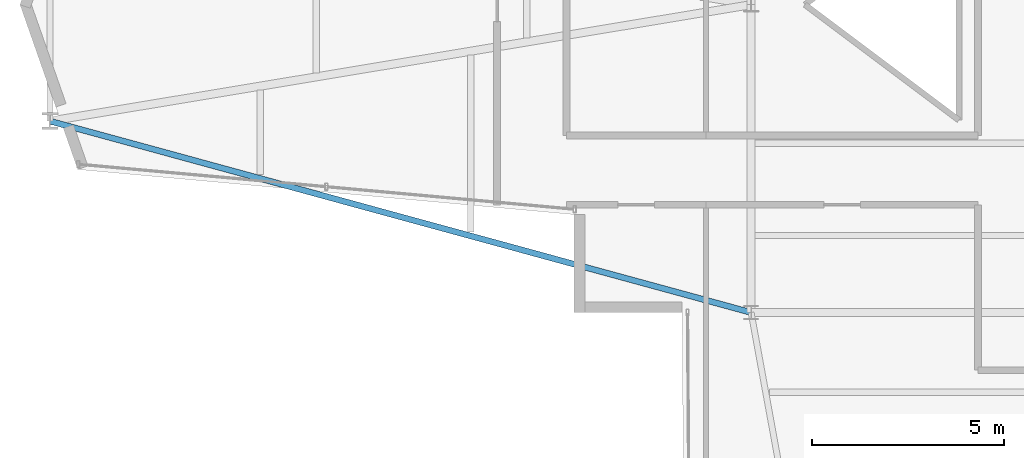
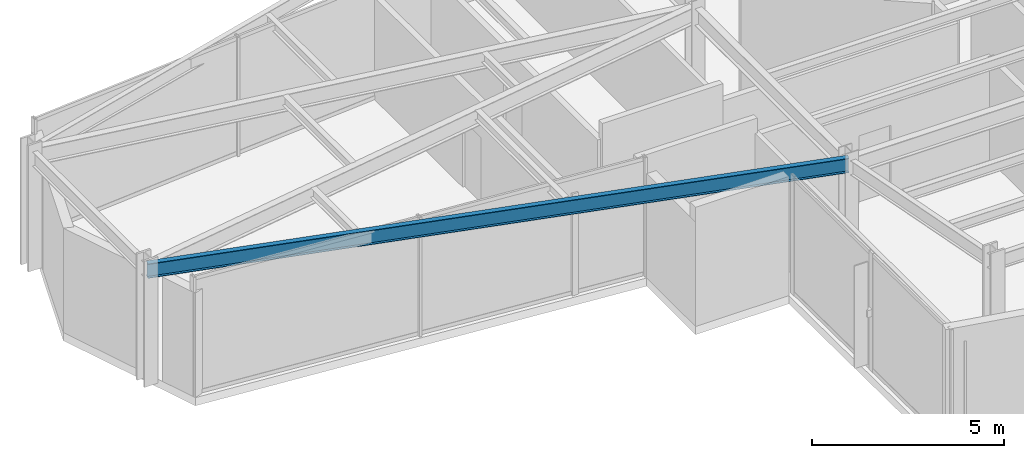
# One storey, part 3 of 23: 1 beam.
"""IFC4 building model written with IfcOpenShell, lengths in metres."""

from ifc_helpers import new_model, si_unit, direction, frame, origin, origin_2d, place, context, subcontext, project, spatial, i_section, extrude, material, material_profile, profile_set, type_object, element, save


model = new_model("IFC4")

# Units and contexts
model_context = context("Model", 3, precision=1e-05, world=origin(), true_north=direction((0.0, 1.0)))
body_context = subcontext(model_context, "Body", "Model", "MODEL_VIEW")
ifc_project = project(units=[si_unit("LENGTHUNIT", "METRE"), si_unit("AREAUNIT", "SQUARE_METRE"), si_unit("VOLUMEUNIT", "CUBIC_METRE"), si_unit("PLANEANGLEUNIT", "RADIAN"), si_unit("MASSUNIT", "GRAM", prefix="KILO")], contexts=[model_context])

# Site, building, storey
site_placement = place(None, origin())
site = spatial("IfcSite", under=ifc_project, at=site_placement, CompositionType="ELEMENT")
building_placement = place(site_placement, origin())
building = spatial("IfcBuilding", under=site, at=building_placement, Name="Veymaron Broadcast Tower", CompositionType="ELEMENT")
storey_placement = place(building_placement, frame((0.0, 0.0, 191.85009765625)))
storey = spatial("IfcBuildingStorey", under=building, at=storey_placement, Name="L44", CompositionType="ELEMENT", Elevation=191.85009765625)

# Beam
ifc_material = material(Name="Structural steel ASTM A992 Gr 50", Category="steel")
ifc_material_profile = material_profile(ifc_material, i_section(OverallWidth=0.154052734375, OverallDepth=0.458984375, WebThickness=0.009033203125, FlangeThickness=0.015380859375, at=origin_2d()), Name="W460X68")
ifc_profile_set = profile_set([ifc_material_profile], Name="Structural steel ASTM A992 Gr 50")
beam_type = type_object("IfcBeamType", Name="BM-SP2", PredefinedType="SPANDREL", material=ifc_profile_set)
beam_placement = place(storey_placement, frame((12.97509765625, 20.97509765625, 3.560302734375), z_axis=(0.964700867806, -0.263348126353, 0.0), x_axis=(0.263348126353, 0.964700867806, 0.0)))
element("IfcBeam", 1, at=beam_placement, inside=storey, type_object=beam_type, Name="L44 primary structural floor girder", PredefinedType="SPANDREL", context=body_context, shape_type="SweptSolid", body=[
    extrude(i_section(OverallWidth=0.154052734375, OverallDepth=0.458984375, WebThickness=0.009033203125, FlangeThickness=0.015380859375, at=origin_2d()), origin(), (0.0, 0.0, 1.0), 18.8916015625),
])

save(model, "model.ifc")
